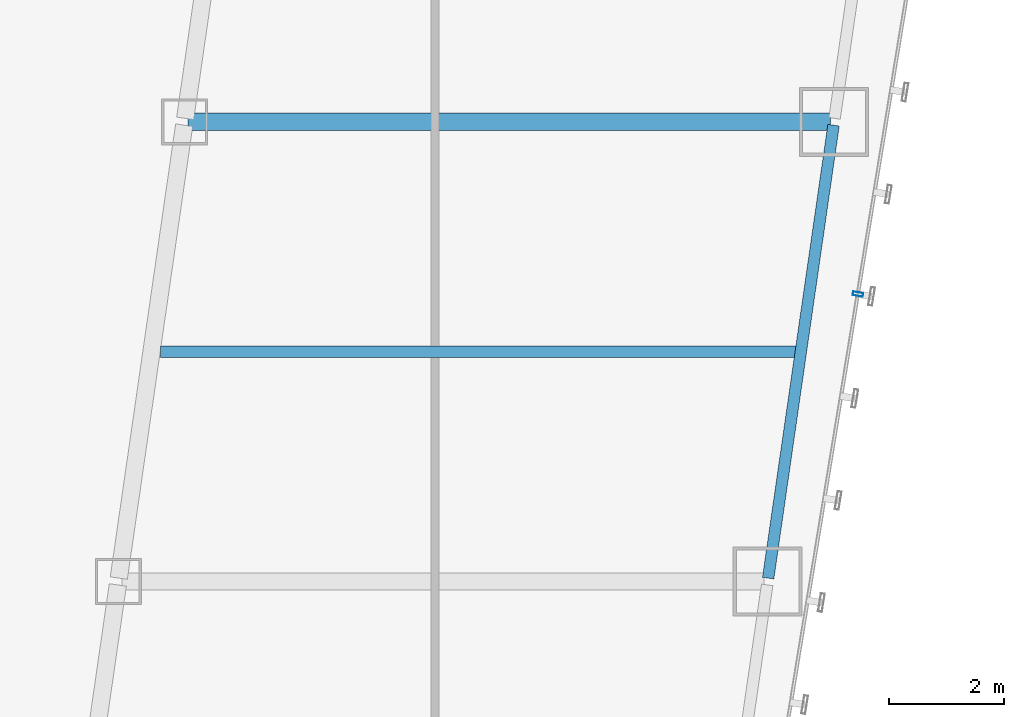
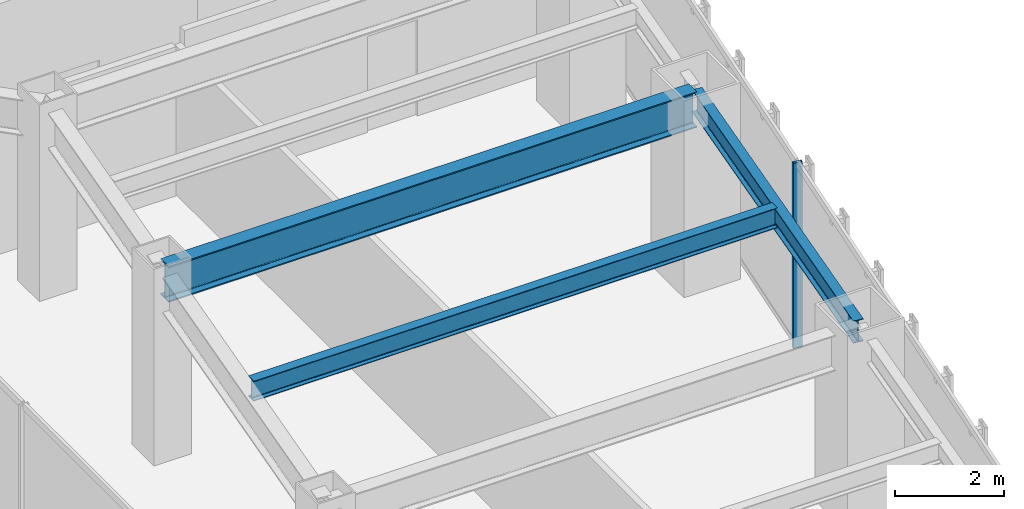
# One storey, part 21 of 47: 3 beams, 1 member, 1 element without a shape of its own.
"""IFC4 building model written with IfcOpenShell, lengths in metres."""

from ifc_helpers import new_model, si_unit, direction, frame, origin, origin_2d, place, context, subcontext, project, spatial, hollow_rectangle, i_section, extrude, material, material_profile, profile_set, type_object, element, aggregate, save


model = new_model("IFC4")

# Units and contexts
model_context = context("Model", 3, precision=1e-05, world=origin(), true_north=direction((0.0, 1.0)))
body_context = subcontext(model_context, "Body", "Model", "MODEL_VIEW")
ifc_project = project(units=[si_unit("LENGTHUNIT", "METRE"), si_unit("AREAUNIT", "SQUARE_METRE"), si_unit("VOLUMEUNIT", "CUBIC_METRE"), si_unit("PLANEANGLEUNIT", "RADIAN"), si_unit("MASSUNIT", "GRAM", prefix="KILO")], contexts=[model_context])

# Site, building, storey
site_placement = place(None, origin())
site = spatial("IfcSite", under=ifc_project, at=site_placement, CompositionType="ELEMENT")
building_placement = place(site_placement, origin())
building = spatial("IfcBuilding", under=site, at=building_placement, Name="Saevonmaru Cultural Tower", CompositionType="ELEMENT")
storey_placement = place(building_placement, frame((0.0, 0.0, 78.0)))
storey = spatial("IfcBuildingStorey", under=building, at=storey_placement, Name="L16", CompositionType="ELEMENT", Elevation=78.0)

# Beams
ifc_material_1 = material(Name="Steel SM420", Category="steel")
ifc_material_profile_1 = material_profile(ifc_material_1, i_section(OverallWidth=0.300048828125, OverallDepth=0.800048828125, WebThickness=0.013916015625, FlangeThickness=0.02587890625, FilletRadius=0.028076171875, at=origin_2d()), Name="H-800x300x14x26")
ifc_profile_set_1 = profile_set([ifc_material_profile_1], Name="Steel SM420")
beam_type_1 = type_object("IfcBeamType", Name="BM-G-H800", PredefinedType="BEAM", material=ifc_profile_set_1)
beam_1_placement = place(storey_placement, frame((40.443115234375, 32.0, 3.75), z_axis=(1.0, 0.0, 0.0), x_axis=(0.0, 1.0, 0.0)))
element("IfcBeam", 1, at=beam_1_placement, inside=storey, type_object=beam_type_1, Name="L16 East Wing Transverse Girder 5", PredefinedType="BEAM", context=body_context, shape_type="SweptSolid", body=[
    extrude(i_section(OverallWidth=0.300048828125, OverallDepth=0.800048828125, WebThickness=0.013916015625, FlangeThickness=0.02587890625, FilletRadius=0.028076171875, at=origin_2d()), origin(), (0.0, 0.0, 1.0), 11.179931640625),
])
ifc_material_2 = material(Name="Steel SM355", Category="steel")
ifc_material_profile_2 = material_profile(ifc_material_2, i_section(OverallWidth=0.199951171875, OverallDepth=0.449951171875, WebThickness=0.009033203125, FlangeThickness=0.013916015625, FilletRadius=0.01806640625, at=origin_2d()), Name="H-450x200x9x14")
ifc_profile_set_2 = profile_set([ifc_material_profile_2], Name="Steel SM355")
beam_type_2 = type_object("IfcBeamType", Name="BM-J-H450", PredefinedType="JOIST", material=ifc_profile_set_2)
beam_2_placement = place(storey_placement, frame((39.96337890625, 28.0, 3.925048828125), z_axis=(1.0, 0.0, 0.0), x_axis=(0.0, 1.0, 0.0)))
element("IfcBeam", 2, at=beam_2_placement, inside=storey, type_object=beam_type_2, Name="L16 East Wing Floor Joist 4", PredefinedType="JOIST", context=body_context, shape_type="SweptSolid", body=[
    extrude(i_section(OverallWidth=0.199951171875, OverallDepth=0.449951171875, WebThickness=0.009033203125, FlangeThickness=0.013916015625, FilletRadius=0.01806640625, at=origin_2d()), origin(), (0.0, 0.0, 1.0), 11.08203125),
])
ifc_material_profile_3 = material_profile(ifc_material_2, i_section(OverallWidth=0.199951171875, OverallDepth=0.5, WebThickness=0.010009765625, FlangeThickness=0.01611328125, FilletRadius=0.02001953125, at=origin_2d()), Name="H-500x200x10x16")
ifc_profile_set_3 = profile_set([ifc_material_profile_3], Name="Steel SM355")
beam_type_3 = type_object("IfcBeamType", Name="BM-SP-H500", PredefinedType="SPANDREL", material=ifc_profile_set_3)
beam_3_placement = place(storey_placement, frame((50.53662109375, 24.059326171875, 3.89990234375), z_axis=(0.142871999001, 0.989741174197, 0.0), x_axis=(-0.989741174197, 0.142871999001, 0.0)))
element("IfcBeam", 3, at=beam_3_placement, inside=storey, type_object=beam_type_3, Name="L16 East Splayed Spandrel 4", PredefinedType="SPANDREL", context=body_context, shape_type="SweptSolid", body=[
    extrude(i_section(OverallWidth=0.199951171875, OverallDepth=0.5, WebThickness=0.010009765625, FlangeThickness=0.01611328125, FilletRadius=0.02001953125, at=origin_2d()), origin(), (0.0, 0.0, 1.0), 7.963134765625),
])

# Curtain wall, member
ifc_material_3 = material(Name="Satin Bronze Anodised Aluminium", Category="aluminium")
curtain_wall_type = type_object("IfcCurtainWallType", Name="CW-TYP-A", PredefinedType="NOTDEFINED", material=ifc_material_3)
curtain_wall_placement = place(storey_placement, origin())
curtain_wall = element("IfcCurtainWall", 4, at=curtain_wall_placement, inside=storey, type_object=curtain_wall_type, Name="L16 Unitised Curtain Wall E8", PredefinedType="NOTDEFINED")
ifc_material_profile_4 = material_profile(ifc_material_3, hollow_rectangle(XDim=0.06494140625, YDim=0.179931640625, WallThickness=0.00390625, at=origin_2d()), Name="ALU-MULL-180x65x4")
ifc_profile_set_4 = profile_set([ifc_material_profile_4], Name="Satin Bronze Anodised Aluminium")
member_type = type_object("IfcMemberType", Name="ML-CW-180x65", PredefinedType="MULLION", material=ifc_profile_set_4)
member_placement = place(storey_placement, frame((52.10009765625, 29.0, 0.0), z_axis=(0.0, 0.0, 1.0), x_axis=(0.161708868641, 0.986838508472, 0.0)))
member = element("IfcMember", 5, at=member_placement, type_object=member_type, Name="CW-TW-L16-E8 mullion 3", PredefinedType="MULLION", context=body_context, shape_type="SweptSolid", body=[
    extrude(hollow_rectangle(XDim=0.06494140625, YDim=0.179931640625, WallThickness=0.00390625, at=origin_2d()), origin(), (0.0, 0.0, 1.0), 4.14990234375),
])
aggregate(curtain_wall, [member])

save(model, "model.ifc")
